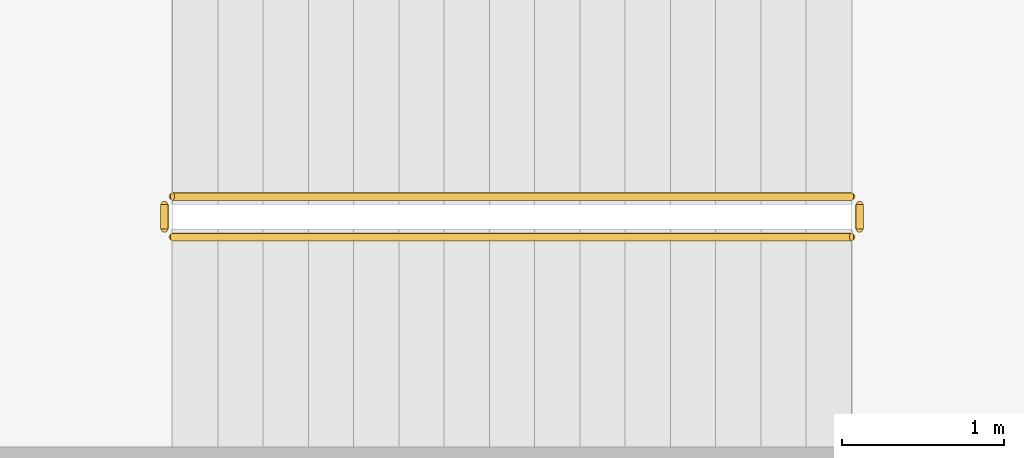
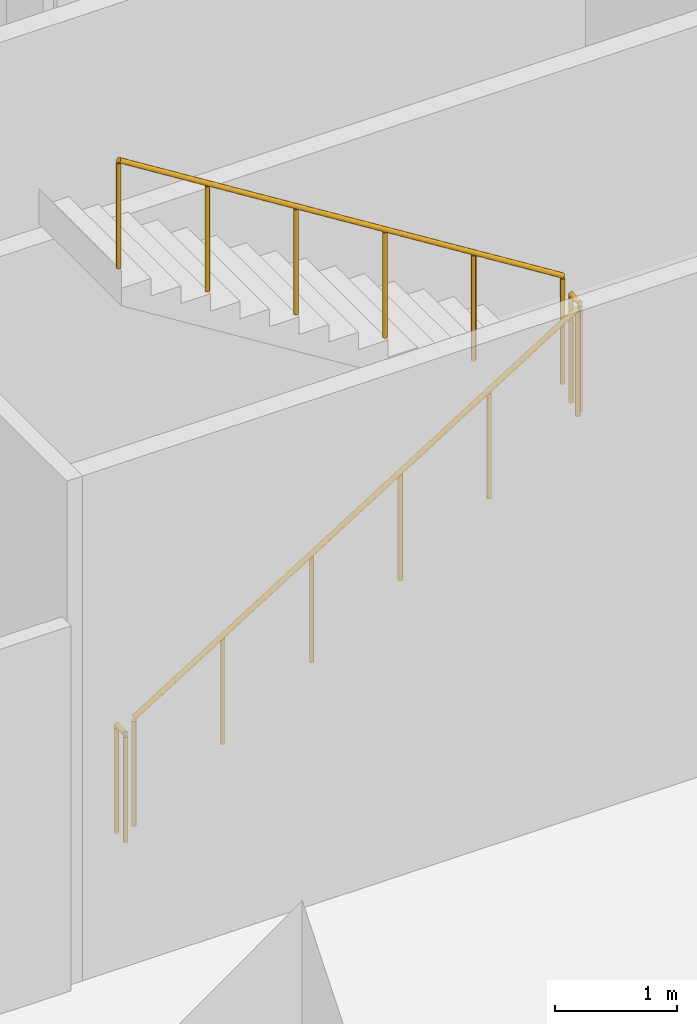
# One storey, part 18 of 24: 4 railings.
"""IFC4 building model written with IfcOpenShell, lengths in metres."""

from ifc_helpers import new_model, si_unit, direction, frame, origin, origin_2d, place, context, subcontext, project, spatial, circle, extrude, material, type_object, element, save


model = new_model("IFC4")

# Units and contexts
model_context = context("Model", 3, precision=1e-05, world=origin(), true_north=direction((0.0, 1.0)))
body_context = subcontext(model_context, "Body", "Model", "MODEL_VIEW")
ifc_project = project(units=[si_unit("LENGTHUNIT", "METRE"), si_unit("AREAUNIT", "SQUARE_METRE"), si_unit("VOLUMEUNIT", "CUBIC_METRE"), si_unit("PLANEANGLEUNIT", "RADIAN"), si_unit("MASSUNIT", "GRAM", prefix="KILO")], contexts=[model_context])

# Site, building, storey
site_placement = place(None, origin())
site = spatial("IfcSite", under=ifc_project, at=site_placement, CompositionType="ELEMENT")
building_placement = place(site_placement, origin())
building = spatial("IfcBuilding", under=site, at=building_placement, Name="Kawkab Arch Medical Tower", CompositionType="ELEMENT")
storey_placement = place(building_placement, frame((0.0, 0.0, 18.199951171875)))
storey = spatial("IfcBuildingStorey", under=building, at=storey_placement, Name="L04", CompositionType="ELEMENT", Elevation=18.199951171875)

# Railings
ifc_material = material(Name="Stainless steel", Category="steel")
railing_type = type_object("IfcRailingType", Name="Stair guard 1100", PredefinedType="GUARDRAIL", material=ifc_material)
railing_1_placement = place(storey_placement, frame((1.97509765625, -72.35009765625, 0.175048828125)))
element("IfcRailing", 1, at=railing_1_placement, inside=storey, type_object=railing_type, Name="L04 ST10 stair guard 1", PredefinedType="GUARDRAIL", context=body_context, shape_type="SweptSolid", body=[
    extrude(circle(Radius=0.02392578125, at=origin_2d()), frame((0.0, 0.0, 1.076171875), z_axis=(0.847995534698, 0.0, 0.530003370869), x_axis=(0.0, 1.0, 0.0)), (0.0, 0.0, 1.0), 4.952880859375),
    extrude(circle(Radius=0.02099609375, at=origin_2d()), origin(), (0.0, 0.0, 1.0), 1.052001953125),
    extrude(circle(Radius=0.02099609375, at=origin_2d()), frame((0.840087890625, 0.0, 0.52490234375)), (0.0, 0.0, 1.0), 1.052001953125),
    extrude(circle(Radius=0.02099609375, at=origin_2d()), frame((1.679931640625, 0.0, 1.050048828125)), (0.0, 0.0, 1.0), 1.052001953125),
    extrude(circle(Radius=0.02099609375, at=origin_2d()), frame((2.52001953125, 0.0, 1.574951171875)), (0.0, 0.0, 1.0), 1.052001953125),
    extrude(circle(Radius=0.02099609375, at=origin_2d()), frame((3.35986328125, 0.0, 2.10009765625)), (0.0, 0.0, 1.0), 1.052001953125),
    extrude(circle(Radius=0.02099609375, at=origin_2d()), frame((4.199951171875, 0.0, 2.625)), (0.0, 0.0, 1.0), 1.052001953125),
])
railing_2_placement = place(storey_placement, frame((6.22509765625, -72.300048828125, 2.800048828125)))
element("IfcRailing", 2, at=railing_2_placement, inside=storey, type_object=railing_type, Name="L04 ST10 stair guard 2", PredefinedType="GUARDRAIL", context=body_context, shape_type="SweptSolid", body=[
    extrude(circle(Radius=0.02392578125, at=origin_2d()), frame((0.0, 0.0, 1.076171875), z_axis=(0.0, 1.0, 0.0), x_axis=(-1.0, 0.0, 0.0)), (0.0, 0.0, 1.0), 0.150146484375),
    extrude(circle(Radius=0.02099609375, at=origin_2d()), origin(), (0.0, 0.0, 1.0), 1.052001953125),
    extrude(circle(Radius=0.02099609375, at=origin_2d()), frame((0.0, 0.150146484375, 0.0)), (0.0, 0.0, 1.0), 1.052001953125),
])
railing_3_placement = place(storey_placement, frame((6.175048828125, -72.10009765625, 2.97509765625)))
element("IfcRailing", 3, at=railing_3_placement, inside=storey, type_object=railing_type, Name="L04 ST10 stair guard 3", PredefinedType="GUARDRAIL", context=body_context, shape_type="SweptSolid", body=[
    extrude(circle(Radius=0.02392578125, at=origin_2d()), frame((0.0, 0.0, 1.076171875), z_axis=(-0.847995534698, 0.0, 0.530003370869), x_axis=(0.0, -1.0, 0.0)), (0.0, 0.0, 1.0), 4.952880859375),
    extrude(circle(Radius=0.02099609375, at=origin_2d()), origin(), (0.0, 0.0, 1.0), 1.052001953125),
    extrude(circle(Radius=0.02099609375, at=origin_2d()), frame((-0.840087890625, 0.0, 0.52490234375)), (0.0, 0.0, 1.0), 1.052001953125),
    extrude(circle(Radius=0.02099609375, at=origin_2d()), frame((-1.679931640625, 0.0, 1.050048828125)), (0.0, 0.0, 1.0), 1.052001953125),
    extrude(circle(Radius=0.02099609375, at=origin_2d()), frame((-2.52001953125, 0.0, 1.574951171875)), (0.0, 0.0, 1.0), 1.052001953125),
    extrude(circle(Radius=0.02099609375, at=origin_2d()), frame((-3.35986328125, 0.0, 2.10009765625)), (0.0, 0.0, 1.0), 1.052001953125),
    extrude(circle(Radius=0.02099609375, at=origin_2d()), frame((-4.199951171875, 0.0, 2.625)), (0.0, 0.0, 1.0), 1.052001953125),
])
railing_4_placement = place(storey_placement, frame((1.925048828125, -72.300048828125, 0.0)))
element("IfcRailing", 4, at=railing_4_placement, inside=storey, type_object=railing_type, Name="L04 ST10 stair guard 4", PredefinedType="GUARDRAIL", context=body_context, shape_type="SweptSolid", body=[
    extrude(circle(Radius=0.02392578125, at=origin_2d()), frame((0.0, 0.0, 1.076171875), z_axis=(0.0, 1.0, 0.0), x_axis=(-1.0, 0.0, 0.0)), (0.0, 0.0, 1.0), 0.150146484375),
    extrude(circle(Radius=0.02099609375, at=origin_2d()), origin(), (0.0, 0.0, 1.0), 1.052001953125),
    extrude(circle(Radius=0.02099609375, at=origin_2d()), frame((0.0, 0.150146484375, 0.0)), (0.0, 0.0, 1.0), 1.052001953125),
])

save(model, "model.ifc")
